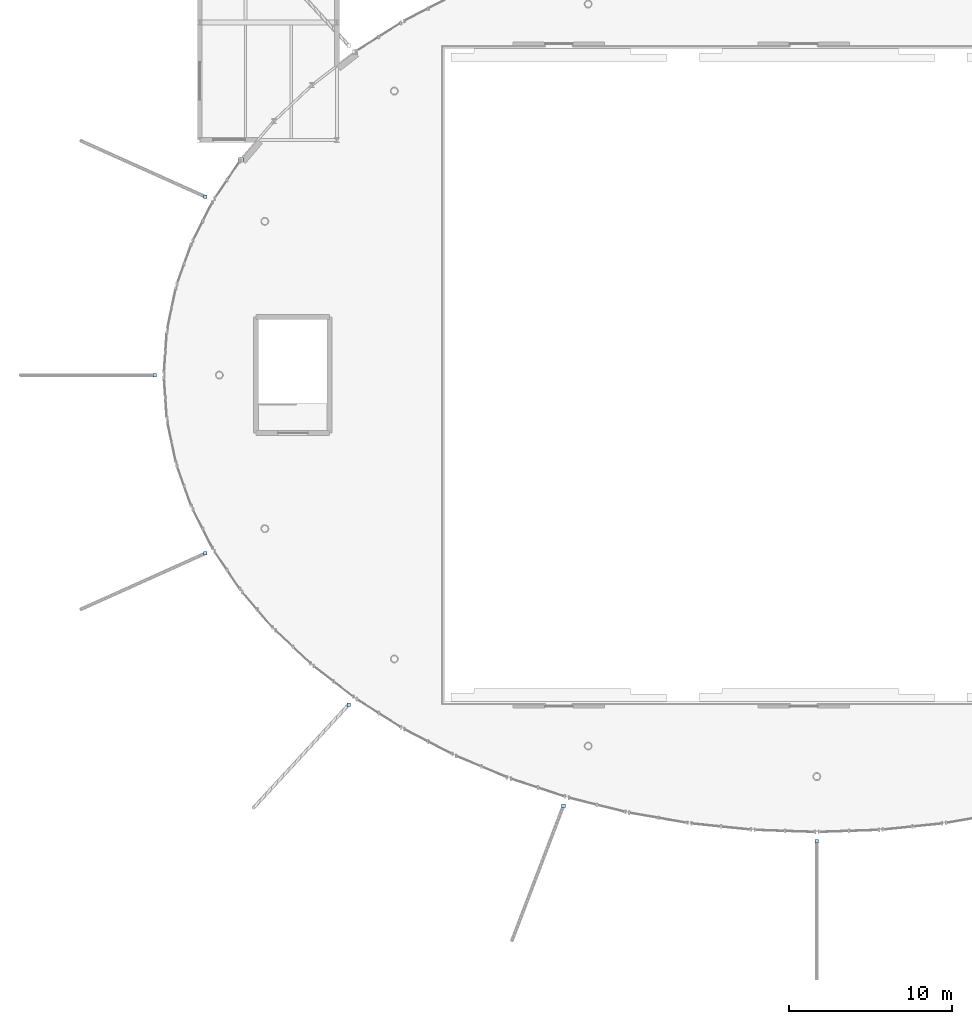
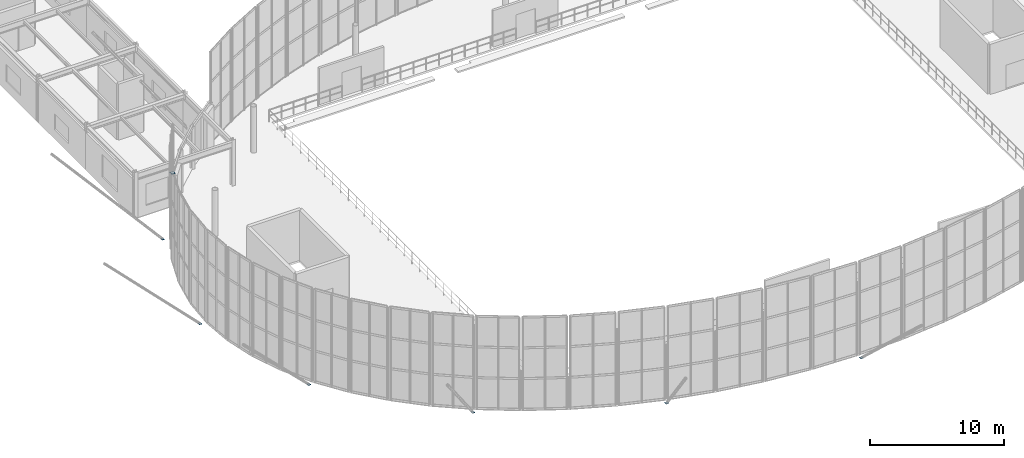
# One storey, part 54 of 109: 7 plates.
"""IFC4 building model written with IfcOpenShell, lengths in metres."""

from ifc_helpers import new_model, si_unit, derived_unit, direction, frame, origin, origin_2d, place, context, subcontext, project, spatial, rectangle, extrude, material, layer, layer_set, type_object, element, save


model = new_model("IFC4")

# Units and contexts
model_context = context("Model", 3, precision=1e-05, world=origin(), true_north=direction((0.0, 1.0)))
body_context = subcontext(model_context, "Body", "Model", "MODEL_VIEW")
ifc_project = project(units=[si_unit("LENGTHUNIT", "METRE"), si_unit("AREAUNIT", "SQUARE_METRE"), si_unit("VOLUMEUNIT", "CUBIC_METRE"), si_unit("PLANEANGLEUNIT", "RADIAN"), si_unit("MASSUNIT", "GRAM", prefix="KILO"), derived_unit("THERMALTRANSMITTANCEUNIT", [(si_unit("MASSUNIT", "GRAM", prefix="KILO"), 1), (si_unit("TIMEUNIT", "SECOND"), -3), (si_unit("THERMODYNAMICTEMPERATUREUNIT", "KELVIN"), -1)])], contexts=[model_context])

# Site, building, storey
site_placement = place(None, origin())
site = spatial("IfcSite", under=ifc_project, at=site_placement, CompositionType="ELEMENT")
building_placement = place(site_placement, origin())
building = spatial("IfcBuilding", under=site, at=building_placement, Name="Kharveza Railside Sports Centre", CompositionType="ELEMENT")
storey_placement = place(building_placement, frame((0.0, 0.0, 4.5)))
storey = spatial("IfcBuildingStorey", under=building, at=storey_placement, Name="L01", CompositionType="ELEMENT", Elevation=4.5)

# Plates
ifc_material = material(Name="Steel S355J2", Category="steel")
ifc_layer_1 = layer(ifc_material, 0.02001953125, Name="Steel S355J2")
ifc_layer_set_1 = layer_set([ifc_layer_1], Name="Steel S355J2")
plate_type_1 = type_object("IfcPlateType", Name="PL-EC04", PredefinedType="USERDEFINED", material=ifc_layer_set_1)
plate_placement = place(storey_placement, frame((19.322998046875, 63.59912109375, 3.869873046875), z_axis=(0.0, 0.0, 1.0), x_axis=(1.0, 0.0, 0.0)))
element("IfcPlate", 1, at=plate_placement, inside=storey, type_object=plate_type_1, Name="PLT-EC-014", ObjectType="END_CAP_PLATE", PredefinedType="USERDEFINED", context=body_context, shape_type="SweptSolid", body=[
    extrude(rectangle(XDim=0.300048828125, YDim=0.300048828125, at=origin_2d()), origin(), (0.0, 0.0, 1.0), 0.02001953125),
])
ifc_layer_2 = layer(ifc_material, 0.02001953125, Name="Steel S355J2")
ifc_layer_set_2 = layer_set([ifc_layer_2], Name="Steel S355J2")
plate_type_2 = type_object("IfcPlateType", Name="PL-EC08", PredefinedType="USERDEFINED", material=ifc_layer_set_2)
for number, where, z_axis, x_axis, name in (
    (2, (17.13671875, 61.32568359375, -0.010009765625), (0.0, 0.0, 1.0), (1.0, 0.0, 0.0), "PLT-EC-075"),
    (3, (14.050048828125, 50.39990234375, -0.010009765625), (0.0, 0.0, 1.0), (1.0, 0.0, 0.0), "PLT-EC-076"),
    (4, (17.13671875, 39.474365234375, -0.010009765625), (0.0, 0.0, 1.0), (1.0, 0.0, 0.0), "PLT-EC-077"),
    (5, (25.9267578125, 30.212158203125, -0.010009765625), (0.0, 0.0, 1.0), (1.0, 0.0, 0.0), "PLT-EC-078"),
    (6, (39.082275390625, 24.023193359375, -0.010009765625), (0.0, 0.0, 1.0), (1.0, 0.0, 0.0), "PLT-EC-079"),
    (7, (54.60009765625, 21.85009765625, -0.010009765625), (0.0, 0.0, 1.0), (1.0, 0.0, 0.0), "PLT-EC-080"),
):
    element("IfcPlate", number, at=place(storey_placement, frame(where, z_axis=z_axis, x_axis=x_axis)), inside=storey, type_object=plate_type_2, Name=name, ObjectType="END_CAP_PLATE", PredefinedType="USERDEFINED", context=body_context, shape_type="SweptSolid", body=[
        extrude(rectangle(XDim=0.218994140625, YDim=0.218994140625, at=origin_2d()), origin(), (0.0, 0.0, 1.0), 0.02001953125),
    ])

save(model, "model.ifc")
